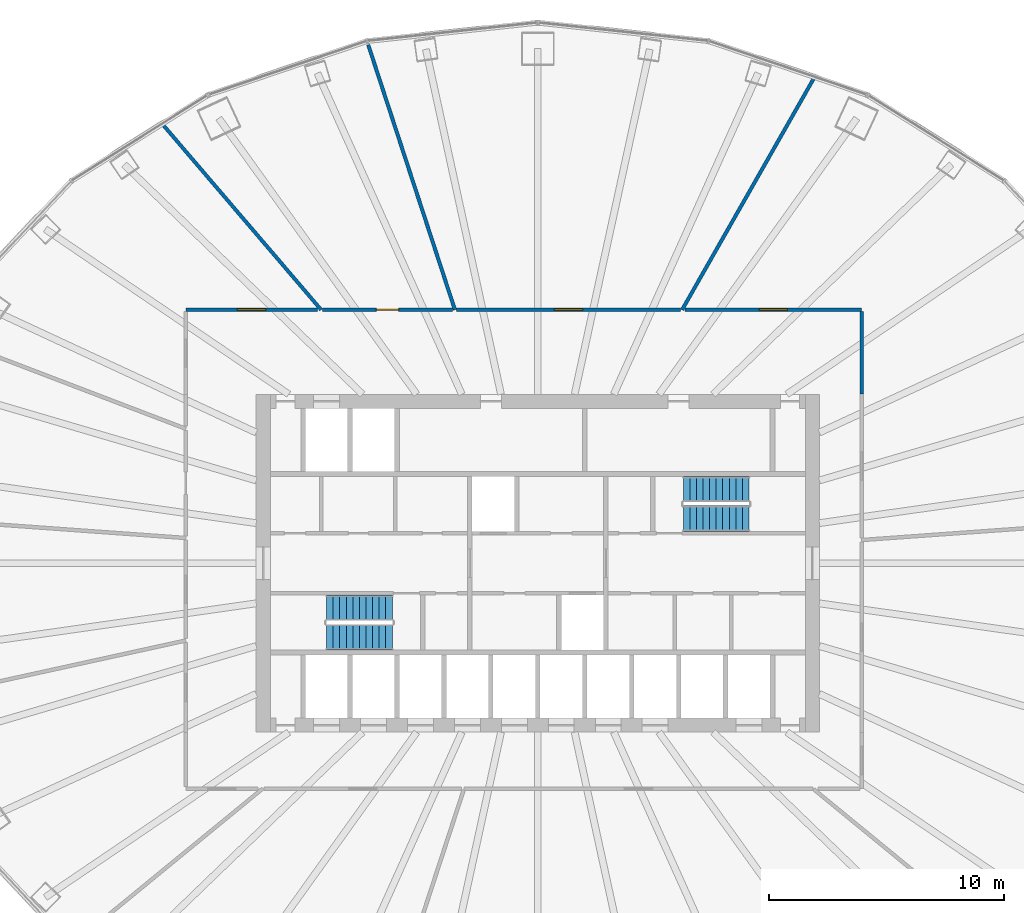
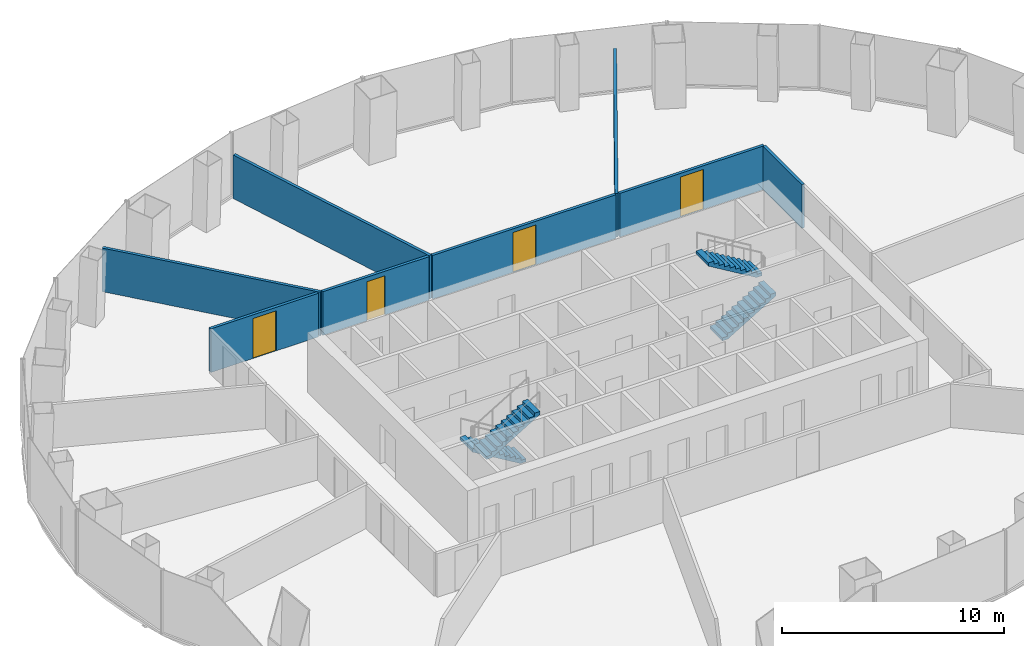
# One storey, part 10 of 11: 8 walls, 4 doors, 4 stair flights, 4 openings, 2 elements without a shape of their own.
"""IFC4 building model written with IfcOpenShell, lengths in metres."""

from ifc_helpers import new_model, si_unit, direction, frame, frame_2d, origin, place, context, subcontext, project, spatial, polyline, rectangle, outline, extrude, material, layer, layer_set, type_object, element, fill, aggregate, save


model = new_model("IFC4")

# Units and contexts
model_context = context("Model", 3, precision=1e-05, world=origin(), true_north=direction((0.0, 1.0)))
body_context = subcontext(model_context, "Body", "Model", "MODEL_VIEW")
ifc_project = project(units=[si_unit("LENGTHUNIT", "METRE"), si_unit("AREAUNIT", "SQUARE_METRE"), si_unit("VOLUMEUNIT", "CUBIC_METRE"), si_unit("PLANEANGLEUNIT", "RADIAN"), si_unit("MASSUNIT", "GRAM", prefix="KILO")], contexts=[model_context])

# Site, building, storey
site_placement = place(None, origin())
site = spatial("IfcSite", under=ifc_project, at=site_placement, CompositionType="ELEMENT")
building_placement = place(site_placement, origin())
building = spatial("IfcBuilding", under=site, at=building_placement, Name="Siaravel Broadcast Tower", CompositionType="ELEMENT")
storey_placement = place(building_placement, frame((0.0, 0.0, 40.800048828125)))
storey = spatial("IfcBuildingStorey", under=building, at=storey_placement, Name="L08", CompositionType="ELEMENT", Elevation=40.800048828125)

# Wall, opening, door
ifc_material_1 = material(Name="Gypsum board partition", Category="gypsum")
ifc_layer_1 = layer(ifc_material_1, 0.14990234375)
ifc_layer_set_1 = layer_set([ifc_layer_1], Name="Gypsum board partition")
wall_type_1 = type_object("IfcWallType", Name="Corridor wall 150", PredefinedType="PARTITIONING", material=ifc_layer_set_1)
wall_1_placement = place(storey_placement, frame((6.0810546875, 10.800048828125, 0.0), z_axis=(0.0, 0.0, 1.0), x_axis=(-1.0, 0.0, 0.0)))
wall_1 = element("IfcWall", 1, at=wall_1_placement, inside=storey, type_object=wall_type_1, Name="L08 partition 12", PredefinedType="PARTITIONING", context=body_context, shape_type="SweptSolid", body=[
    extrude(rectangle(XDim=9.540771484375, YDim=0.14990234375, at=frame_2d((4.7705078125, 0.0))), origin(), (0.0, 0.0, 1.0), 2.39990234375),
])
opening_1_placement = place(wall_1_placement, frame((4.17041015625, 0.0, 0.0)))
opening_1 = element("IfcOpeningElement", 2, at=opening_1_placement, cuts=wall_1, Name="Opening L08-005", PredefinedType="OPENING", context=body_context, shape_type="SweptSolid", body=[
    extrude(rectangle(XDim=1.199951171875, YDim=2.199951171875, at=frame_2d((0.60009765625, 1.10009765625))), frame((0.0, 0.0849609375, 0.0), z_axis=(0.0, -1.0, 0.0), x_axis=(1.0, 0.0, 0.0)), (0.0, 0.0, 1.0), 0.169921875),
])
ifc_material_2 = material(Name="Timber veneer", Category="wood")
door_type_1 = type_object("IfcDoorType", Name="Office double door 1200", OperationType="DOUBLE_DOOR_SINGLE_SWING", PredefinedType="DOOR", material=ifc_material_2)
door_1_placement = place(opening_1_placement, origin())
door_1 = element("IfcDoor", 3, at=door_1_placement, inside=storey, type_object=door_type_1, Name="L08 door to Open plan newsroom", OperationType="DOUBLE_DOOR_SINGLE_SWING", OverallHeight=2.199951171875, OverallWidth=1.199951171875, PredefinedType="DOOR", context=body_context, shape_type="SweptSolid", body=[
    extrude(rectangle(XDim=1.199951171875, YDim=2.199951171875, at=frame_2d((0.60009765625, 1.10009765625))), frame((0.0, 0.02490234375, 0.0), z_axis=(0.0, -1.0, 0.0), x_axis=(1.0, 0.0, 0.0)), (0.0, 0.0, 1.0), 0.050048828125),
])
fill(opening_1, door_1)

wall_2_placement = place(storey_placement, frame((13.800048828125, 10.800048828125, 0.0), z_axis=(0.0, 0.0, 1.0), x_axis=(-1.0, 0.0, 0.0)))
wall_2 = element("IfcWall", 4, at=wall_2_placement, inside=storey, type_object=wall_type_1, Name="L08 partition 15", PredefinedType="PARTITIONING", context=body_context, shape_type="SweptSolid", body=[
    extrude(rectangle(XDim=7.520751953125, YDim=0.14990234375, at=frame_2d((3.76025390625, 0.0))), origin(), (0.0, 0.0, 1.0), 2.39990234375),
])
opening_2_placement = place(wall_2_placement, frame((3.160400390625, 0.0, 0.0)))
opening_2 = element("IfcOpeningElement", 5, at=opening_2_placement, cuts=wall_2, Name="Opening L08-003", PredefinedType="OPENING", context=body_context, shape_type="SweptSolid", body=[
    extrude(rectangle(XDim=1.199951171875, YDim=2.199951171875, at=frame_2d((0.60009765625, 1.10009765625))), frame((0.0, 0.0849609375, 0.0), z_axis=(0.0, -1.0, 0.0), x_axis=(1.0, 0.0, 0.0)), (0.0, 0.0, 1.0), 0.169921875),
])
door_2_placement = place(opening_2_placement, origin())
door_2 = element("IfcDoor", 6, at=door_2_placement, inside=storey, type_object=door_type_1, Name="L08 door to Open plan newsroom", OperationType="DOUBLE_DOOR_SINGLE_SWING", OverallHeight=2.199951171875, OverallWidth=1.199951171875, PredefinedType="DOOR", context=body_context, shape_type="SweptSolid", body=[
    extrude(rectangle(XDim=1.199951171875, YDim=2.199951171875, at=frame_2d((0.60009765625, 1.10009765625))), frame((0.0, 0.02490234375, 0.0), z_axis=(0.0, -1.0, 0.0), x_axis=(1.0, 0.0, 0.0)), (0.0, 0.0, 1.0), 0.050048828125),
])
fill(opening_2, door_2)

wall_3_placement = place(storey_placement, frame((-9.397216796875, 10.800048828125, 0.0), z_axis=(0.0, 0.0, 1.0), x_axis=(-1.0, 0.0, 0.0)))
wall_3 = element("IfcWall", 7, at=wall_3_placement, inside=storey, type_object=wall_type_1, Name="L08 partition 17", PredefinedType="PARTITIONING", context=body_context, shape_type="SweptSolid", body=[
    extrude(rectangle(XDim=5.602783203125, YDim=0.14990234375, at=frame_2d((2.80126953125, 0.0))), origin(), (0.0, 0.0, 1.0), 2.39990234375),
])
opening_3_placement = place(wall_3_placement, frame((2.201416015625, 0.0, 0.0)))
opening_3 = element("IfcOpeningElement", 8, at=opening_3_placement, cuts=wall_3, Name="Opening L08-007", PredefinedType="OPENING", context=body_context, shape_type="SweptSolid", body=[
    extrude(rectangle(XDim=1.199951171875, YDim=2.199951171875, at=frame_2d((0.60009765625, 1.10009765625))), frame((0.0, 0.0849609375, 0.0), z_axis=(0.0, -1.0, 0.0), x_axis=(1.0, 0.0, 0.0)), (0.0, 0.0, 1.0), 0.169921875),
])
door_3_placement = place(opening_3_placement, origin())
door_3 = element("IfcDoor", 9, at=door_3_placement, inside=storey, type_object=door_type_1, Name="L08 door to Open plan newsroom", OperationType="DOUBLE_DOOR_SINGLE_SWING", OverallHeight=2.199951171875, OverallWidth=1.199951171875, PredefinedType="DOOR", context=body_context, shape_type="SweptSolid", body=[
    extrude(rectangle(XDim=1.199951171875, YDim=2.199951171875, at=frame_2d((0.60009765625, 1.10009765625))), frame((0.0, 0.02490234375, 0.0), z_axis=(0.0, -1.0, 0.0), x_axis=(1.0, 0.0, 0.0)), (0.0, 0.0, 1.0), 0.050048828125),
])
fill(opening_3, door_3)

wall_4_placement = place(storey_placement, frame((-3.63818359375, 10.800048828125, 0.0), z_axis=(0.0, 0.0, 1.0), x_axis=(-1.0, 0.0, 0.0)))
wall_4 = element("IfcWall", 10, at=wall_4_placement, inside=storey, type_object=wall_type_1, Name="L08 partition 18", PredefinedType="PARTITIONING", context=body_context, shape_type="SweptSolid", body=[
    extrude(rectangle(XDim=5.53515625, YDim=0.14990234375, at=frame_2d((2.767578125, 0.0))), origin(), (0.0, 0.0, 1.0), 2.39990234375),
])
opening_4_placement = place(wall_4_placement, frame((2.29248046875, 0.0, 0.0)))
opening_4 = element("IfcOpeningElement", 11, at=opening_4_placement, cuts=wall_4, Name="Opening L08-006", PredefinedType="OPENING", context=body_context, shape_type="SweptSolid", body=[
    extrude(rectangle(XDim=0.949951171875, YDim=2.14990234375, at=frame_2d((0.47509765625, 1.074951171875))), frame((0.0, 0.0849609375, 0.0), z_axis=(0.0, -1.0, 0.0), x_axis=(1.0, 0.0, 0.0)), (0.0, 0.0, 1.0), 0.169921875),
])
door_type_2 = type_object("IfcDoorType", Name="Office door 950", OperationType="SINGLE_SWING_LEFT", PredefinedType="DOOR", material=ifc_material_2)
door_4_placement = place(opening_4_placement, origin())
door_4 = element("IfcDoor", 12, at=door_4_placement, inside=storey, type_object=door_type_2, Name="L08 door to Production office", OperationType="SINGLE_SWING_RIGHT", OverallHeight=2.14990234375, OverallWidth=0.949951171875, PredefinedType="DOOR", context=body_context, shape_type="SweptSolid", body=[
    extrude(rectangle(XDim=0.949951171875, YDim=2.14990234375, at=frame_2d((0.47509765625, 1.074951171875))), frame((0.0, 0.02490234375, 0.0), z_axis=(0.0, -1.0, 0.0), x_axis=(1.0, 0.0, 0.0)), (0.0, 0.0, 1.0), 0.050048828125),
])
fill(opening_4, door_4)

# Walls
wall_5_placement = place(storey_placement, frame((13.800048828125, 7.212890625, 0.0), z_axis=(0.0, 0.0, 1.0), x_axis=(0.0, 1.0, 0.0)))
element("IfcWall", 13, at=wall_5_placement, inside=storey, type_object=wall_type_1, Name="L08 partition 23", PredefinedType="PARTITIONING", context=body_context, shape_type="SweptSolid", body=[
    extrude(rectangle(XDim=3.510009765625, YDim=0.14990234375, at=frame_2d((1.7548828125, 0.0))), origin(), (0.0, 0.0, 1.0), 2.39990234375),
])
ifc_layer_2 = layer(ifc_material_1, 0.14990234375)
ifc_layer_set_2 = layer_set([ifc_layer_2], Name="Gypsum board partition")
wall_type_2 = type_object("IfcWallType", Name="Room partition 150", PredefinedType="PARTITIONING", material=ifc_layer_set_2)
wall_6_placement = place(storey_placement, frame((-7.2265625, 22.091796875, 0.0), z_axis=(0.0, 0.0, 1.0), x_axis=(0.310896301, -0.950443838, 0.0)))
element("IfcWall", 14, at=wall_6_placement, inside=storey, type_object=wall_type_2, Name="L08 partition 6", PredefinedType="PARTITIONING", context=body_context, shape_type="SweptSolid", body=[
    extrude(rectangle(XDim=11.880615234375, YDim=0.14990234375, at=frame_2d((5.9404296875, 0.0))), origin(), (0.0, 0.0, 1.0), 2.39990234375),
])
wall_7_placement = place(storey_placement, frame((11.80078125, 20.729248046875, 0.0), z_axis=(0.0, 0.0, 1.0), x_axis=(-0.49473687, -0.869042824, 0.0)))
element("IfcWall", 15, at=wall_7_placement, inside=storey, type_object=wall_type_2, Name="L08 partition 7", PredefinedType="PARTITIONING", context=body_context, shape_type="SweptSolid", body=[
    extrude(rectangle(XDim=11.425537109375, YDim=0.14990234375, at=frame_2d((5.712890625, 0.0))), origin(), (0.0, 0.0, 1.0), 2.39990234375),
])
wall_8_placement = place(storey_placement, frame((-16.01806640625, 18.73828125, 0.0), z_axis=(0.0, 0.0, 1.0), x_axis=(0.649766552, -0.760133822, 0.0)))
element("IfcWall", 16, at=wall_8_placement, inside=storey, type_object=wall_type_2, Name="L08 partition 9", PredefinedType="PARTITIONING", context=body_context, shape_type="SweptSolid", body=[
    extrude(rectangle(XDim=10.443115234375, YDim=0.14990234375, at=frame_2d((5.2216796875, 0.0))), origin(), (0.0, 0.0, 1.0), 2.39990234375),
])

# Stair, stair flights
ifc_material_3 = material(Name="Concrete C40/50", Category="concrete")
stair_type = type_object("IfcStairType", Name="Core exit stair", PredefinedType="HALF_TURN_STAIR", material=ifc_material_3)
stair_1_placement = place(storey_placement, origin())
stair_1 = element("IfcStair", 17, at=stair_1_placement, inside=storey, type_object=stair_type, Name="L08 Exit stair ST-1", PredefinedType="HALF_TURN_STAIR")
stair_flight_type = type_object("IfcStairFlightType", Name="Stair flight 1100", PredefinedType="STRAIGHT", material=ifc_material_3)
stair_flight_1_placement = place(storey_placement, frame((-6.199951171875, -1.89990234375, 0.0), z_axis=(0.0, 0.0, 1.0), x_axis=(-1.0, 0.0, 0.0)))
stair_flight_1 = element("IfcStairFlight", 18, at=stair_flight_1_placement, type_object=stair_flight_type, Name="ST-1 flight 1", NumberOfRisers=11, NumberOfTreads=10, PredefinedType="STRAIGHT", RiserHeight=0.1681818, TreadLength=0.28, context=body_context, shape_type="SweptSolid", body=[
    extrude(outline(polyline([(0.0, 0.0), (0.0, 0.168212890625), (0.280029296875, 0.168212890625), (0.280029296875, 0.33642578125), (0.56005859375, 0.33642578125), (0.56005859375, 0.504638671875), (0.840087890625, 0.504638671875), (0.840087890625, 0.672607421875), (1.1201171875, 0.672607421875), (1.1201171875, 0.8408203125), (1.39990234375, 0.8408203125), (1.39990234375, 1.009033203125), (1.679931640625, 1.009033203125), (1.679931640625, 1.17724609375), (1.9599609375, 1.17724609375), (1.9599609375, 1.345458984375), (2.239990234375, 1.345458984375), (2.239990234375, 1.513671875), (2.52001953125, 1.513671875), (2.52001953125, 1.681884765625), (2.800048828125, 1.681884765625), (2.800048828125, 1.85009765625), (2.800048828125, 1.5068359375), (0.291015625, 0.0), (0.0, 0.0)])), frame((0.0, 0.550048828125, 0.0), z_axis=(0.0, -1.0, 0.0), x_axis=(1.0, 0.0, 0.0)), (0.0, 0.0, 1.0), 1.10009765625),
])
stair_flight_2_placement = place(storey_placement, frame((-9.0, -3.14990234375, 1.849853515625), z_axis=(0.0, 0.0, 1.0), x_axis=(1.0, 0.0, 0.0)))
stair_flight_2 = element("IfcStairFlight", 19, at=stair_flight_2_placement, type_object=stair_flight_type, Name="ST-1 flight 2", NumberOfRisers=11, NumberOfTreads=10, PredefinedType="STRAIGHT", RiserHeight=0.1681818, TreadLength=0.28, context=body_context, shape_type="SweptSolid", body=[
    extrude(outline(polyline([(0.0, 0.0), (0.0, 0.168212890625), (0.280029296875, 0.168212890625), (0.280029296875, 0.33642578125), (0.56005859375, 0.33642578125), (0.56005859375, 0.504638671875), (0.840087890625, 0.504638671875), (0.840087890625, 0.672607421875), (1.1201171875, 0.672607421875), (1.1201171875, 0.8408203125), (1.39990234375, 0.8408203125), (1.39990234375, 1.009033203125), (1.679931640625, 1.009033203125), (1.679931640625, 1.17724609375), (1.9599609375, 1.17724609375), (1.9599609375, 1.345458984375), (2.239990234375, 1.345458984375), (2.239990234375, 1.513671875), (2.52001953125, 1.513671875), (2.52001953125, 1.681884765625), (2.800048828125, 1.681884765625), (2.800048828125, 1.85009765625), (2.800048828125, 1.5068359375), (0.291015625, 0.0), (0.0, 0.0)])), frame((0.0, 0.550048828125, 0.0), z_axis=(0.0, -1.0, 0.0), x_axis=(1.0, 0.0, 0.0)), (0.0, 0.0, 1.0), 1.10009765625),
])
aggregate(stair_1, [stair_flight_1, stair_flight_2])

stair_2_placement = place(storey_placement, origin())
stair_2 = element("IfcStair", 20, at=stair_2_placement, inside=storey, type_object=stair_type, Name="L08 Exit stair ST-2", PredefinedType="HALF_TURN_STAIR")
stair_flight_3_placement = place(storey_placement, frame((6.199951171875, 1.89990234375, 0.0), z_axis=(0.0, 0.0, 1.0), x_axis=(1.0, 0.0, 0.0)))
stair_flight_3 = element("IfcStairFlight", 21, at=stair_flight_3_placement, type_object=stair_flight_type, Name="ST-2 flight 1", NumberOfRisers=11, NumberOfTreads=10, PredefinedType="STRAIGHT", RiserHeight=0.1681818, TreadLength=0.28, context=body_context, shape_type="SweptSolid", body=[
    extrude(outline(polyline([(0.0, 0.0), (0.0, 0.168212890625), (0.280029296875, 0.168212890625), (0.280029296875, 0.33642578125), (0.56005859375, 0.33642578125), (0.56005859375, 0.504638671875), (0.840087890625, 0.504638671875), (0.840087890625, 0.672607421875), (1.1201171875, 0.672607421875), (1.1201171875, 0.8408203125), (1.39990234375, 0.8408203125), (1.39990234375, 1.009033203125), (1.679931640625, 1.009033203125), (1.679931640625, 1.17724609375), (1.9599609375, 1.17724609375), (1.9599609375, 1.345458984375), (2.239990234375, 1.345458984375), (2.239990234375, 1.513671875), (2.52001953125, 1.513671875), (2.52001953125, 1.681884765625), (2.800048828125, 1.681884765625), (2.800048828125, 1.85009765625), (2.800048828125, 1.5068359375), (0.291015625, 0.0), (0.0, 0.0)])), frame((0.0, 0.550048828125, 0.0), z_axis=(0.0, -1.0, 0.0), x_axis=(1.0, 0.0, 0.0)), (0.0, 0.0, 1.0), 1.10009765625),
])
stair_flight_4_placement = place(storey_placement, frame((9.0, 3.14990234375, 1.849853515625), z_axis=(0.0, 0.0, 1.0), x_axis=(-1.0, 0.0, 0.0)))
stair_flight_4 = element("IfcStairFlight", 22, at=stair_flight_4_placement, type_object=stair_flight_type, Name="ST-2 flight 2", NumberOfRisers=11, NumberOfTreads=10, PredefinedType="STRAIGHT", RiserHeight=0.1681818, TreadLength=0.28, context=body_context, shape_type="SweptSolid", body=[
    extrude(outline(polyline([(0.0, 0.0), (0.0, 0.168212890625), (0.280029296875, 0.168212890625), (0.280029296875, 0.33642578125), (0.56005859375, 0.33642578125), (0.56005859375, 0.504638671875), (0.840087890625, 0.504638671875), (0.840087890625, 0.672607421875), (1.1201171875, 0.672607421875), (1.1201171875, 0.8408203125), (1.39990234375, 0.8408203125), (1.39990234375, 1.009033203125), (1.679931640625, 1.009033203125), (1.679931640625, 1.17724609375), (1.9599609375, 1.17724609375), (1.9599609375, 1.345458984375), (2.239990234375, 1.345458984375), (2.239990234375, 1.513671875), (2.52001953125, 1.513671875), (2.52001953125, 1.681884765625), (2.800048828125, 1.681884765625), (2.800048828125, 1.85009765625), (2.800048828125, 1.5068359375), (0.291015625, 0.0), (0.0, 0.0)])), frame((0.0, 0.550048828125, 0.0), z_axis=(0.0, -1.0, 0.0), x_axis=(1.0, 0.0, 0.0)), (0.0, 0.0, 1.0), 1.10009765625),
])
aggregate(stair_2, [stair_flight_3, stair_flight_4])

save(model, "model.ifc")
